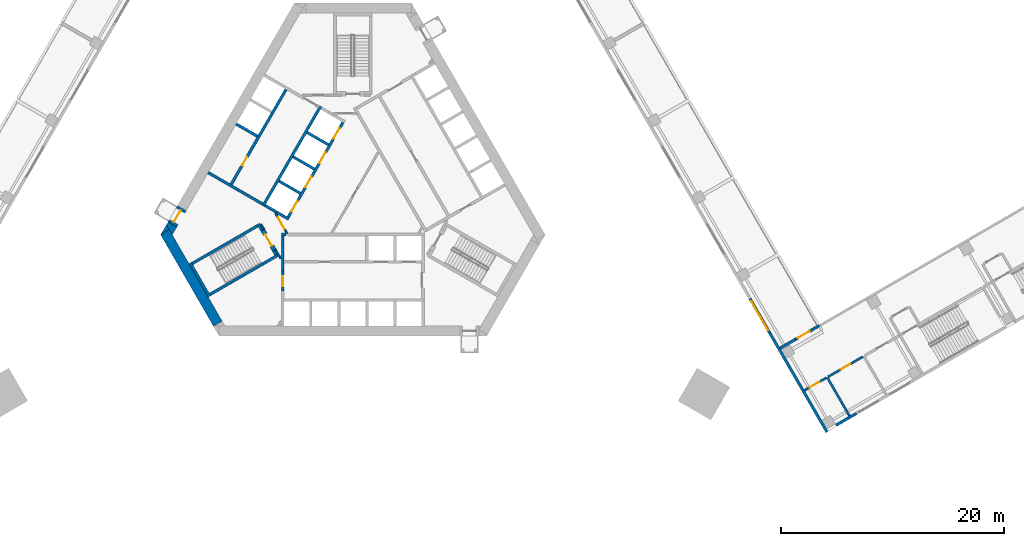
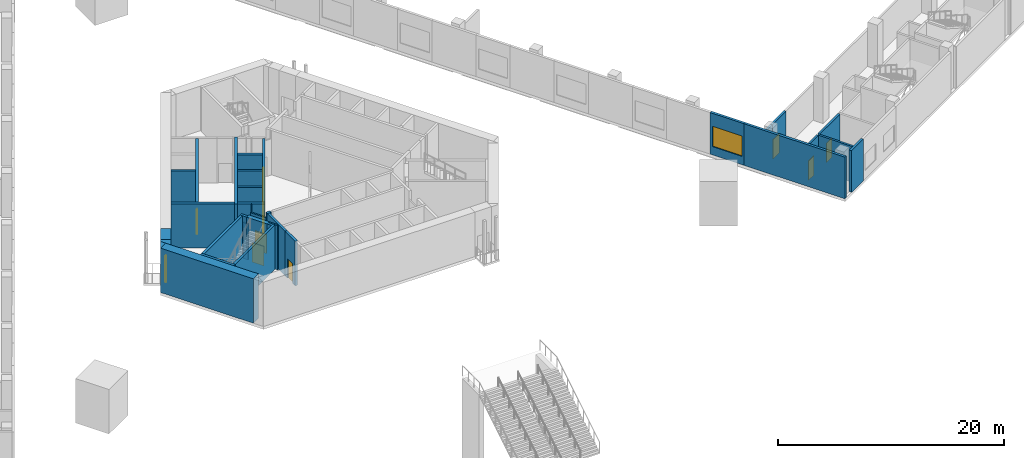
# One storey, part 9 of 28: 33 walls, 12 doors, 1 window, 13 openings.
"""IFC4 building model written with IfcOpenShell, lengths in metres."""

from ifc_helpers import new_model, si_unit, direction, frame, frame_2d, origin, place, context, subcontext, project, spatial, polyline, rectangle, outline, extrude, material, layer, layer_set, type_object, element, fill, save


model = new_model("IFC4")

# Units and contexts
model_context = context("Model", 3, precision=1e-05, world=origin(), true_north=direction((0.0, 1.0)))
body_context = subcontext(model_context, "Body", "Model", "MODEL_VIEW")
ifc_project = project(units=[si_unit("LENGTHUNIT", "METRE"), si_unit("AREAUNIT", "SQUARE_METRE"), si_unit("VOLUMEUNIT", "CUBIC_METRE"), si_unit("PLANEANGLEUNIT", "RADIAN"), si_unit("MASSUNIT", "GRAM", prefix="KILO")], contexts=[model_context])

# Site, building, storey
site_placement = place(None, origin())
site = spatial("IfcSite", under=ifc_project, at=site_placement, CompositionType="ELEMENT")
building_placement = place(site_placement, origin())
building = spatial("IfcBuilding", under=site, at=building_placement, Name="Mestral Congress Tower", CompositionType="ELEMENT")
storey_placement = place(building_placement, frame((0.0, 0.0, 11.39990234375)))
storey = spatial("IfcBuildingStorey", under=building, at=storey_placement, Name="L02", CompositionType="ELEMENT", Elevation=11.39990234375)

# Wall
ifc_material_1 = material(Name="Fire-rated board partition")
ifc_layer_1 = layer(ifc_material_1, 0.14990234375)
ifc_layer_set_1 = layer_set([ifc_layer_1], Name="Fire-rated board partition")
wall_type_1 = type_object("IfcWallType", Name="Core partition 150", PredefinedType="PARTITIONING", material=ifc_layer_set_1)
wall_1_placement = place(storey_placement, frame((-8.251953125, -2.958251953125, 0.0), z_axis=(0.0, 0.0, 1.0), x_axis=(0.500174715838, -0.865924508047, 0.0)))
element("IfcWall", 1, at=wall_1_placement, inside=storey, type_object=wall_type_1, Name="L02 core wall", PredefinedType="PARTITIONING", context=body_context, shape_type="SweptSolid", body=[
    extrude(rectangle(XDim=0.513916015625, YDim=0.14990234375, at=frame_2d((0.2568359375, 0.0))), origin(), (0.0, 0.0, 1.0), 3.900146484375),
])

# Wall, opening, door
wall_2_placement = place(storey_placement, frame((-5.89501953125, -3.789794921875, 0.0), z_axis=(0.0, 0.0, 1.0), x_axis=(-0.49994051562, 0.866059744384, 0.0)))
wall_2 = element("IfcWall", 2, at=wall_2_placement, inside=storey, type_object=wall_type_1, Name="L02 door wall", PredefinedType="PARTITIONING", context=body_context, shape_type="SweptSolid", body=[
    extrude(rectangle(XDim=2.099853515625, YDim=0.14990234375, at=frame_2d((1.0498046875, 0.0))), origin(), (0.0, 0.0, 1.0), 3.900146484375),
])
opening_1_placement = place(wall_2_placement, frame((0.449951171875, 0.0, 0.0)))
opening_1 = element("IfcOpeningElement", 3, at=opening_1_placement, cuts=wall_2, Name="Opening CD3-FF", PredefinedType="OPENING", context=body_context, shape_type="SweptSolid", body=[
    extrude(rectangle(XDim=1.199951171875, YDim=2.10009765625, at=frame_2d((0.60009765625, 1.050048828125))), frame((0.0, 0.0849609375, 0.0), z_axis=(0.0, -1.0, 0.0), x_axis=(1.0, 0.0, 0.0)), (0.0, 0.0, 1.0), 0.169921875),
])
ifc_material_2 = material(Name="Fire-rated steel door set", Category="steel")
door_type_1 = type_object("IfcDoorType", Name="Core door CD 1200x2100", OperationType="SINGLE_SWING_LEFT", PredefinedType="DOOR", material=ifc_material_2)
door_1_placement = place(opening_1_placement, origin())
door_1 = element("IfcDoor", 4, at=door_1_placement, inside=storey, type_object=door_type_1, Name="Door CD3-FF", OperationType="SINGLE_SWING_LEFT", OverallHeight=2.10009765625, OverallWidth=1.199951171875, PredefinedType="DOOR", context=body_context, shape_type="SweptSolid", body=[
    extrude(rectangle(XDim=1.199951171875, YDim=2.10009765625, at=frame_2d((0.60009765625, 1.050048828125))), frame((0.0, 0.02490234375, 0.0), z_axis=(0.0, -1.0, 0.0), x_axis=(1.0, 0.0, 0.0)), (0.0, 0.0, 1.0), 0.050048828125),
])
fill(opening_1, door_1)

# Walls
ifc_material_3 = material(Name="Concrete C60/75", Category="concrete")
ifc_layer_2 = layer(ifc_material_3, 0.89990234375)
ifc_layer_set_2 = layer_set([ifc_layer_2], Name="Concrete C60/75")
wall_type_2 = type_object("IfcWallType", Name="Core wall RC 900", PredefinedType="SOLIDWALL", material=ifc_layer_set_2)
wall_3_placement = place(storey_placement, frame((-12.134033203125, -11.88330078125, 0.0), z_axis=(0.0, 0.0, 1.0), x_axis=(-0.500005339912, 0.866022320763, 0.0)))
element("IfcWall", 5, at=wall_3_placement, inside=storey, type_object=wall_type_2, Name="L02 core wall", PredefinedType="SOLIDWALL", context=body_context, shape_type="SweptSolid", body=[
    extrude(rectangle(XDim=9.48779296875, YDim=0.89990234375, at=frame_2d((4.743896484375, 0.0))), origin(), (0.0, 0.0, 1.0), 4.800048828125),
])
placement = place(storey_placement, origin())
element("IfcWall", 6, at=placement, inside=storey, type_object=wall_type_2, Name="L02 core wall", PredefinedType="SOLIDWALL", context=body_context, shape_type="SweptSolid", body=[
    extrude(outline(polyline([(-16.4892578125, -3.43994140625), (-17.251220703125, -3.8798828125), (-16.7431640625, -3.0), (-16.4892578125, -3.43994140625)])), origin(), (0.0, 0.0, 1.0), 4.800048828125),
])
element("IfcWall", 7, at=placement, inside=storey, type_object=wall_type_2, Name="L02 core wall", PredefinedType="SOLIDWALL", context=body_context, shape_type="SweptSolid", body=[
    extrude(outline(polyline([(-15.81982421875, -3.20068359375), (-16.223388671875, -3.89990234375), (-16.7431640625, -3.0), (-16.599365234375, -2.750732421875), (-15.81982421875, -3.20068359375)])), origin(), (0.0, 0.0, 1.0), 4.800048828125),
])

# Wall, opening, door
wall_6_placement = place(storey_placement, frame((-16.20947265625, -2.9755859375, 0.0), z_axis=(0.0, 0.0, 1.0), x_axis=(0.499954529098, 0.86605165483, 0.0)))
wall_6 = element("IfcWall", 8, at=wall_6_placement, inside=storey, type_object=wall_type_2, Name="L02 door wall", PredefinedType="SOLIDWALL", context=body_context, shape_type="SweptSolid", body=[
    extrude(rectangle(XDim=1.699951171875, YDim=0.89990234375, at=frame_2d((0.85009765625, 0.0))), origin(), (0.0, 0.0, 1.0), 4.800048828125),
])
opening_2_placement = place(wall_6_placement, frame((0.25, 0.0, 0.0)))
opening_2 = element("IfcOpeningElement", 9, at=opening_2_placement, cuts=wall_6, Name="Opening XD3", PredefinedType="OPENING", context=body_context, shape_type="SweptSolid", body=[
    extrude(rectangle(XDim=1.199951171875, YDim=2.10009765625, at=frame_2d((0.60009765625, 1.050048828125))), frame((0.0, 0.4599609375, 0.0), z_axis=(0.0, -1.0, 0.0), x_axis=(1.0, 0.0, 0.0)), (0.0, 0.0, 1.0), 0.919921875),
])
door_type_2 = type_object("IfcDoorType", Name="Core door XD 1200x2100", OperationType="SINGLE_SWING_LEFT", PredefinedType="DOOR", material=ifc_material_2)
door_2_placement = place(opening_2_placement, origin())
door_2 = element("IfcDoor", 10, at=door_2_placement, inside=storey, type_object=door_type_2, Name="Door XD3", OperationType="SINGLE_SWING_LEFT", OverallHeight=2.10009765625, OverallWidth=1.199951171875, PredefinedType="DOOR", context=body_context, shape_type="SweptSolid", body=[
    extrude(rectangle(XDim=1.199951171875, YDim=2.10009765625, at=frame_2d((0.60009765625, 1.050048828125))), frame((0.0, 0.02490234375, 0.0), z_axis=(0.0, -1.0, 0.0), x_axis=(1.0, 0.0, 0.0)), (0.0, 0.0, 1.0), 0.050048828125),
])
fill(opening_2, door_2)

# Wall
ifc_material_4 = material(Name="Precast concrete C40/50 with limestone facing", Category="masonry")
ifc_layer_3 = layer(ifc_material_4, 0.25)
ifc_layer_set_3 = layer_set([ifc_layer_3], Name="Precast concrete C40/50 with limestone facing")
wall_type_3 = type_object("IfcWallType", Name="Podium external wall 250", PredefinedType="SOLIDWALL", material=ifc_layer_set_3)
wall_7_placement = place(storey_placement, frame((42.5625, -21.614501953125, 0.0), z_axis=(0.0, 0.0, 1.0), x_axis=(-0.500001855621, 0.866024332438, 0.0)))
element("IfcWall", 11, at=wall_7_placement, inside=storey, type_object=wall_type_3, Name="L02 external wall", PredefinedType="SOLIDWALL", context=body_context, shape_type="SweptSolid", body=[
    extrude(rectangle(XDim=10.31201171875, YDim=0.25, at=frame_2d((5.156005859375, 0.0))), origin(), (0.0, 0.0, 1.0), 4.5),
])

# Wall, opening, window
wall_8_placement = place(storey_placement, frame((37.406494140625, -12.68408203125, 0.0), z_axis=(0.0, 0.0, 1.0), x_axis=(-0.500010275428, 0.866019471182, 0.0)))
wall_8 = element("IfcWall", 12, at=wall_8_placement, inside=storey, type_object=wall_type_3, Name="L02 external wall", PredefinedType="SOLIDWALL", context=body_context, shape_type="SweptSolid", body=[
    extrude(rectangle(XDim=3.5, YDim=0.25, at=frame_2d((1.75, 0.0))), origin(), (0.0, 0.0, 1.0), 4.5),
])
opening_3_placement = place(wall_8_placement, frame((0.25, 0.0, 0.89990234375)))
opening_3 = element("IfcOpeningElement", 13, at=opening_3_placement, cuts=wall_8, Name="Opening PW-3000x2200", PredefinedType="OPENING", context=body_context, shape_type="SweptSolid", body=[
    extrude(rectangle(XDim=3.0, YDim=2.199951171875, at=frame_2d((1.5, 1.10009765625))), frame((0.0, 0.135009765625, 0.0), z_axis=(0.0, -1.0, 0.0), x_axis=(1.0, 0.0, 0.0)), (0.0, 0.0, 1.0), 0.27001953125),
])
ifc_material_5 = material(Name="Aluminium frame, clear double glazing", Category="aluminium")
window_type = type_object("IfcWindowType", Name="Podium window 3000x2200 sill 900", PartitioningType="SINGLE_PANEL", PredefinedType="WINDOW", material=ifc_material_5)
window_placement = place(opening_3_placement, origin())
window = element("IfcWindow", 14, at=window_placement, inside=storey, type_object=window_type, Name="Window", OverallHeight=2.199951171875, OverallWidth=3.0, PartitioningType="SINGLE_PANEL", PredefinedType="WINDOW", context=body_context, shape_type="SweptSolid", body=[
    extrude(rectangle(XDim=3.0, YDim=2.199951171875, at=frame_2d((1.5, 1.10009765625))), frame((0.0, 0.030029296875, 0.0), z_axis=(0.0, -1.0, 0.0), x_axis=(1.0, 0.0, 0.0)), (0.0, 0.0, 1.0), 0.06005859375),
])
fill(opening_3, window)

# Walls
wall_9_placement = place(storey_placement, frame((45.206298828125, -19.943603515625, 0.0), z_axis=(0.0, 0.0, 1.0), x_axis=(-0.866009402589, -0.500027713859, 0.0)))
element("IfcWall", 15, at=wall_9_placement, inside=storey, type_object=wall_type_3, Name="L02 external wall", PredefinedType="SOLIDWALL", context=body_context, shape_type="SweptSolid", body=[
    extrude(rectangle(XDim=2.10009765625, YDim=0.25, at=frame_2d((1.050048828125, 0.0))), origin(), (0.0, 0.0, 1.0), 4.5),
])
ifc_material_6 = material(Name="Masonry block wall", Category="masonry")
ifc_layer_4 = layer(ifc_material_6, 0.25)
ifc_layer_set_4 = layer_set([ifc_layer_4], Name="Masonry block wall")
wall_type_4 = type_object("IfcWallType", Name="Podium hall wall 250 EI 180", PredefinedType="SOLIDWALL", material=ifc_layer_set_4)
wall_10_placement = place(storey_placement, frame((38.3583984375, -14.08251953125, 0.0), z_axis=(0.0, 0.0, 1.0), x_axis=(0.865989903783, 0.500061482766, 0.0)))
element("IfcWall", 16, at=wall_10_placement, inside=storey, type_object=wall_type_4, Name="L02 partition", PredefinedType="SOLIDWALL", context=body_context, shape_type="SweptSolid", body=[
    extrude(rectangle(XDim=1.599853515625, YDim=0.25, at=frame_2d((0.7998046875, 0.0))), origin(), (0.0, 0.0, 1.0), 3.900146484375),
])

# Wall, opening, door
wall_11_placement = place(storey_placement, frame((41.86572265625, -12.0576171875, 0.0), z_axis=(0.0, 0.0, 1.0), x_axis=(-0.866057815567, -0.499943856944, 0.0)))
wall_11 = element("IfcWall", 17, at=wall_11_placement, inside=storey, type_object=wall_type_4, Name="L02 partition", PredefinedType="SOLIDWALL", context=body_context, shape_type="SweptSolid", body=[
    extrude(rectangle(XDim=2.449951171875, YDim=0.25, at=frame_2d((1.22509765625, 0.0))), origin(), (0.0, 0.0, 1.0), 3.900146484375),
])
opening_4_placement = place(wall_11_placement, frame((1.0, 0.0, 0.0)))
opening_4 = element("IfcOpeningElement", 18, at=opening_4_placement, cuts=wall_11, Name="Opening P02-017", PredefinedType="OPENING", context=body_context, shape_type="SweptSolid", body=[
    extrude(rectangle(XDim=1.199951171875, YDim=2.10009765625, at=frame_2d((0.60009765625, 1.050048828125))), frame((0.0, 0.135009765625, 0.0), z_axis=(0.0, -1.0, 0.0), x_axis=(1.0, 0.0, 0.0)), (0.0, 0.0, 1.0), 0.27001953125),
])
door_type_3 = type_object("IfcDoorType", Name="Podium hall door 1200x2100 EI2 90-C5", OperationType="SINGLE_SWING_LEFT", PredefinedType="DOOR", material=ifc_material_2)
door_3_placement = place(opening_4_placement, origin())
door_3 = element("IfcDoor", 19, at=door_3_placement, inside=storey, type_object=door_type_3, Name="Door P02-017", OperationType="SINGLE_SWING_LEFT", OverallHeight=2.10009765625, OverallWidth=1.199951171875, PredefinedType="DOOR", context=body_context, shape_type="SweptSolid", body=[
    extrude(rectangle(XDim=1.199951171875, YDim=2.10009765625, at=frame_2d((0.60009765625, 1.050048828125))), frame((0.0, 0.02490234375, 0.0), z_axis=(0.0, -1.0, 0.0), x_axis=(1.0, 0.0, 0.0)), (0.0, 0.0, 1.0), 0.050048828125),
])
fill(opening_4, door_3)

# Wall
ifc_layer_5 = layer(ifc_material_1, 0.199951171875)
ifc_layer_set_5 = layer_set([ifc_layer_5], Name="Fire-rated board partition")
wall_type_5 = type_object("IfcWallType", Name="Podium vestibule wall 200 EI 120", PredefinedType="PARTITIONING", material=ifc_layer_set_5)
wall_12_placement = place(storey_placement, frame((44.5810546875, -20.160400390625, 0.0), z_axis=(0.0, 0.0, 1.0), x_axis=(-0.49999894854, 0.866026010844, 0.0)))
element("IfcWall", 20, at=wall_12_placement, inside=storey, type_object=wall_type_5, Name="L02 partition", PredefinedType="PARTITIONING", context=body_context, shape_type="SweptSolid", body=[
    extrude(rectangle(XDim=4.0, YDim=0.199951171875, at=frame_2d((2.0, 0.0))), origin(), (0.0, 0.0, 1.0), 3.900146484375),
])

# Wall, opening, door
wall_13_placement = place(storey_placement, frame((42.494384765625, -16.746337890625, 0.0), z_axis=(0.0, 0.0, 1.0), x_axis=(-0.866017533419, -0.500013631625, 0.0)))
wall_13 = element("IfcWall", 21, at=wall_13_placement, inside=storey, type_object=wall_type_5, Name="L02 partition", PredefinedType="PARTITIONING", context=body_context, shape_type="SweptSolid", body=[
    extrude(rectangle(XDim=2.25, YDim=0.199951171875, at=frame_2d((1.125, 0.0))), origin(), (0.0, 0.0, 1.0), 3.900146484375),
])
opening_5_placement = place(wall_13_placement, frame((0.699951171875, 0.0, 0.0)))
opening_5 = element("IfcOpeningElement", 22, at=opening_5_placement, cuts=wall_13, Name="Opening P02-021", PredefinedType="OPENING", context=body_context, shape_type="SweptSolid", body=[
    extrude(rectangle(XDim=1.0, YDim=2.10009765625, at=frame_2d((0.5, 1.050048828125))), frame((0.0, 0.10986328125, 0.0), z_axis=(0.0, -1.0, 0.0), x_axis=(1.0, 0.0, 0.0)), (0.0, 0.0, 1.0), 0.219970703125),
])
door_type_4 = type_object("IfcDoorType", Name="Podium room door 1000x2100 EI2 30-C5", OperationType="SINGLE_SWING_LEFT", PredefinedType="DOOR", material=ifc_material_2)
door_4_placement = place(opening_5_placement, origin())
door_4 = element("IfcDoor", 23, at=door_4_placement, inside=storey, type_object=door_type_4, Name="Door P02-021", OperationType="SINGLE_SWING_LEFT", OverallHeight=2.10009765625, OverallWidth=1.0, PredefinedType="DOOR", context=body_context, shape_type="SweptSolid", body=[
    extrude(rectangle(XDim=1.0, YDim=2.10009765625, at=frame_2d((0.5, 1.050048828125))), frame((0.0, 0.02490234375, 0.0), z_axis=(0.0, -1.0, 0.0), x_axis=(1.0, 0.0, 0.0)), (0.0, 0.0, 1.0), 0.050048828125),
])
fill(opening_5, door_4)

wall_14_placement = place(storey_placement, frame((45.785400390625, -14.846435546875, 0.0), z_axis=(0.0, 0.0, 1.0), x_axis=(-0.866035395735, -0.499982693035, 0.0)))
wall_14 = element("IfcWall", 24, at=wall_14_placement, inside=storey, type_object=wall_type_5, Name="L02 partition", PredefinedType="PARTITIONING", context=body_context, shape_type="SweptSolid", body=[
    extrude(rectangle(XDim=3.600341796875, YDim=0.199951171875, at=frame_2d((1.80029296875, 0.0))), origin(), (0.0, 0.0, 1.0), 3.900146484375),
])
opening_6_placement = place(wall_14_placement, frame((1.300048828125, 0.0, 0.0)))
opening_6 = element("IfcOpeningElement", 25, at=opening_6_placement, cuts=wall_14, Name="Opening P02-027", PredefinedType="OPENING", context=body_context, shape_type="SweptSolid", body=[
    extrude(rectangle(XDim=1.0, YDim=2.10009765625, at=frame_2d((0.5, 1.050048828125))), frame((0.0, 0.10986328125, 0.0), z_axis=(0.0, -1.0, 0.0), x_axis=(1.0, 0.0, 0.0)), (0.0, 0.0, 1.0), 0.219970703125),
])
door_5_placement = place(opening_6_placement, origin())
door_5 = element("IfcDoor", 26, at=door_5_placement, inside=storey, type_object=door_type_4, Name="Door P02-027", OperationType="SINGLE_SWING_LEFT", OverallHeight=2.10009765625, OverallWidth=1.0, PredefinedType="DOOR", context=body_context, shape_type="SweptSolid", body=[
    extrude(rectangle(XDim=1.0, YDim=2.10009765625, at=frame_2d((0.5, 1.050048828125))), frame((0.0, 0.02490234375, 0.0), z_axis=(0.0, -1.0, 0.0), x_axis=(1.0, 0.0, 0.0)), (0.0, 0.0, 1.0), 0.050048828125),
])
fill(opening_6, door_5)

# Walls
ifc_layer_6 = layer(ifc_material_3, 0.25)
ifc_layer_set_6 = layer_set([ifc_layer_6], Name="Concrete C60/75")
wall_type_6 = type_object("IfcWallType", Name="Shaft wall RC 250", PredefinedType="SOLIDWALL", material=ifc_layer_set_6)
wall_15_placement = place(storey_placement, frame((-6.425048828125, -3.875, 0.0), z_axis=(0.0, 0.0, 1.0), x_axis=(1.0, 0.0, 0.0)))
element("IfcWall", 27, at=wall_15_placement, inside=storey, type_object=wall_type_6, Name="L02 core wall", PredefinedType="SOLIDWALL", context=body_context, shape_type="SweptSolid", body=[
    extrude(rectangle(XDim=0.427978515625, YDim=0.25, at=frame_2d((0.2138671875, 0.0))), origin(), (0.0, 0.0, 1.0), 4.800048828125),
])
wall_16_placement = place(storey_placement, frame((-6.300048828125, -4.0, 0.0), z_axis=(0.0, 0.0, 1.0), x_axis=(0.0, -1.0, 0.0)))
element("IfcWall", 28, at=wall_16_placement, inside=storey, type_object=wall_type_6, Name="L02 core wall", PredefinedType="SOLIDWALL", context=body_context, shape_type="SweptSolid", body=[
    extrude(rectangle(XDim=3.154296875, YDim=0.25, at=frame_2d((1.5771484375, 0.0))), origin(), (0.0, 0.0, 1.0), 4.800048828125),
])
wall_17_placement = place(storey_placement, frame((-8.06005859375, -1.310546875, 0.0), z_axis=(0.0, 0.0, 1.0), x_axis=(0.50000273126, 0.866023826885, 0.0)))
element("IfcWall", 29, at=wall_17_placement, inside=storey, type_object=wall_type_6, Name="L02 core wall", PredefinedType="SOLIDWALL", context=body_context, shape_type="SweptSolid", body=[
    extrude(rectangle(XDim=10.330078125, YDim=0.25, at=frame_2d((5.1650390625, 0.0))), origin(), (0.0, 0.0, 1.0), 4.800048828125),
])
for number, where, z_axis, x_axis, name in (
    (30, (-2.2041015625, 4.182373046875, 0.0), (0.0, 0.0, 1.0), (-0.866008176907, 0.50002983664, 0.0), "L02 core wall"),
    (31, (-5.369384765625, 3.10009765625, 0.0), (0.0, 0.0, 1.0), (0.866008176907, -0.50002983664, 0.0), "L02 core wall"),
    (32, (-4.72412109375, -0.182373046875, 0.0), (0.0, 0.0, 1.0), (-0.866008176907, 0.50002983664, 0.0), "L02 core wall"),
):
    element("IfcWall", number, at=place(storey_placement, frame(where, z_axis=z_axis, x_axis=x_axis)), inside=storey, type_object=wall_type_6, Name=name, PredefinedType="SOLIDWALL", context=body_context, shape_type="SweptSolid", body=[
        extrude(rectangle(XDim=2.199951171875, YDim=0.25, at=frame_2d((1.10009765625, 0.0))), origin(), (0.0, 0.0, 1.0), 4.800048828125),
    ])
element("IfcWall", 33, at=placement, inside=storey, type_object=wall_type_6, Name="L02 core wall", PredefinedType="SOLIDWALL", context=body_context, shape_type="SweptSolid", body=[
    extrude(outline(polyline([(-5.921630859375, -2.256591796875), (-5.921630859375, -2.256591796875), (-5.705078125, -2.381591796875), (-5.830078125, -2.597900390625), (-6.829345703125, -2.02099609375), (-6.8798828125, -1.93359375), (-6.8798828125, -1.93359375), (-6.930419921875, -1.962646484375), (-7.951904296875, -1.373046875), (-7.826904296875, -1.156494140625), (-5.921630859375, -2.256591796875)])), origin(), (0.0, 0.0, 1.0), 4.800048828125),
])
wall_19_placement = place(storey_placement, frame((-8.10595703125, -1.139892578125, 0.0), z_axis=(0.0, 0.0, 1.0), x_axis=(-0.866000643155, 0.500042884217, 0.0)))
element("IfcWall", 34, at=wall_19_placement, inside=storey, type_object=wall_type_6, Name="L02 core wall", PredefinedType="SOLIDWALL", context=body_context, shape_type="SweptSolid", body=[
    extrude(rectangle(XDim=5.64990234375, YDim=0.25, at=frame_2d((2.824951171875, 0.0))), origin(), (0.0, 0.0, 1.0), 4.800048828125),
])
wall_20_placement = place(storey_placement, frame((-8.57373046875, 4.949951171875, 0.0), z_axis=(0.0, 0.0, 1.0), x_axis=(-0.866008176907, 0.50002983664, 0.0)))
element("IfcWall", 35, at=wall_20_placement, inside=storey, type_object=wall_type_6, Name="L02 core wall", PredefinedType="SOLIDWALL", context=body_context, shape_type="SweptSolid", body=[
    extrude(rectangle(XDim=2.199951171875, YDim=0.25, at=frame_2d((1.10009765625, 0.0))), origin(), (0.0, 0.0, 1.0), 4.800048828125),
])

# Wall, opening, door
wall_21_placement = place(storey_placement, frame((-6.0078125, 9.14404296875, 0.0), z_axis=(0.0, 0.0, 1.0), x_axis=(-0.500006956611, -0.866021387346, 0.0)))
wall_21 = element("IfcWall", 36, at=wall_21_placement, inside=storey, type_object=wall_type_6, Name="L02 door wall", PredefinedType="SOLIDWALL", context=body_context, shape_type="SweptSolid", body=[
    extrude(rectangle(XDim=9.829833984375, YDim=0.25, at=frame_2d((4.9150390625, 0.0))), origin(), (0.0, 0.0, 1.0), 4.800048828125),
])
opening_7_placement = place(wall_21_placement, frame((6.985107421875, 0.0, 0.0)))
opening_7 = element("IfcOpeningElement", 37, at=opening_7_placement, cuts=wall_21, Name="Opening SR-NWA2", PredefinedType="OPENING", context=body_context, shape_type="SweptSolid", body=[
    extrude(rectangle(XDim=0.89990234375, YDim=2.10009765625, at=frame_2d((0.449951171875, 1.050048828125))), frame((0.0, 0.135009765625, 0.0), z_axis=(0.0, -1.0, 0.0), x_axis=(1.0, 0.0, 0.0)), (0.0, 0.0, 1.0), 0.27001953125),
])
door_type_5 = type_object("IfcDoorType", Name="Core door SR 900x2100", OperationType="SINGLE_SWING_LEFT", PredefinedType="DOOR", material=ifc_material_2)
door_6_placement = place(opening_7_placement, origin())
door_6 = element("IfcDoor", 38, at=door_6_placement, inside=storey, type_object=door_type_5, Name="Door SR-NWA2", OperationType="SINGLE_SWING_LEFT", OverallHeight=2.10009765625, OverallWidth=0.89990234375, PredefinedType="DOOR", context=body_context, shape_type="SweptSolid", body=[
    extrude(rectangle(XDim=0.89990234375, YDim=2.10009765625, at=frame_2d((0.449951171875, 1.050048828125))), frame((0.0, 0.02490234375, 0.0), z_axis=(0.0, -1.0, 0.0), x_axis=(1.0, 0.0, 0.0)), (0.0, 0.0, 1.0), 0.050048828125),
])
fill(opening_7, door_6)

# Wall, openings, doors
wall_22_placement = place(storey_placement, frame((-0.898193359375, 6.194091796875, 0.0), z_axis=(0.0, 0.0, 1.0), x_axis=(-0.499996202215, -0.866027596426, 0.0)))
wall_22 = element("IfcWall", 39, at=wall_22_placement, inside=storey, type_object=wall_type_6, Name="L02 door wall", PredefinedType="SOLIDWALL", context=body_context, shape_type="SweptSolid", body=[
    extrude(rectangle(XDim=9.830078125, YDim=0.25, at=frame_2d((4.9150390625, 0.0))), origin(), (0.0, 0.0, 1.0), 4.800048828125),
])
opening_8_placement = place(wall_22_placement, frame((0.5849609375, 0.0, 0.0)))
opening_8 = element("IfcOpeningElement", 40, at=opening_8_placement, cuts=wall_22, Name="Opening LD-NWB1", PredefinedType="OPENING", context=body_context, shape_type="SweptSolid", body=[
    extrude(rectangle(XDim=1.10009765625, YDim=2.10009765625, at=frame_2d((0.550048828125, 1.050048828125))), frame((0.0, 0.135009765625, 0.0), z_axis=(0.0, -1.0, 0.0), x_axis=(1.0, 0.0, 0.0)), (0.0, 0.0, 1.0), 0.27001953125),
])
opening_9_placement = place(wall_22_placement, frame((3.10498046875, 0.0, 0.0)))
opening_9 = element("IfcOpeningElement", 41, at=opening_9_placement, cuts=wall_22, Name="Opening LD-NWB2", PredefinedType="OPENING", context=body_context, shape_type="SweptSolid", body=[
    extrude(rectangle(XDim=1.10009765625, YDim=2.10009765625, at=frame_2d((0.550048828125, 1.050048828125))), frame((0.0, 0.135009765625, 0.0), z_axis=(0.0, -1.0, 0.0), x_axis=(1.0, 0.0, 0.0)), (0.0, 0.0, 1.0), 0.27001953125),
])
opening_10_placement = place(wall_22_placement, frame((5.625, 0.0, 0.0)))
opening_10 = element("IfcOpeningElement", 42, at=opening_10_placement, cuts=wall_22, Name="Opening LD-NWB3", PredefinedType="OPENING", context=body_context, shape_type="SweptSolid", body=[
    extrude(rectangle(XDim=1.10009765625, YDim=2.10009765625, at=frame_2d((0.550048828125, 1.050048828125))), frame((0.0, 0.135009765625, 0.0), z_axis=(0.0, -1.0, 0.0), x_axis=(1.0, 0.0, 0.0)), (0.0, 0.0, 1.0), 0.27001953125),
])
opening_11_placement = place(wall_22_placement, frame((8.14501953125, 0.0, 0.0)))
opening_11 = element("IfcOpeningElement", 43, at=opening_11_placement, cuts=wall_22, Name="Opening LD-NWB4", PredefinedType="OPENING", context=body_context, shape_type="SweptSolid", body=[
    extrude(rectangle(XDim=1.10009765625, YDim=2.10009765625, at=frame_2d((0.550048828125, 1.050048828125))), frame((0.0, 0.135009765625, 0.0), z_axis=(0.0, -1.0, 0.0), x_axis=(1.0, 0.0, 0.0)), (0.0, 0.0, 1.0), 0.27001953125),
])
door_type_6 = type_object("IfcDoorType", Name="Core door LD 1100x2100", OperationType="DOUBLE_DOOR_SLIDING", PredefinedType="DOOR", material=ifc_material_2)
door_7_placement = place(opening_8_placement, origin())
door_7 = element("IfcDoor", 44, at=door_7_placement, inside=storey, type_object=door_type_6, Name="Door LD-NWB1", OperationType="DOUBLE_DOOR_SLIDING", OverallHeight=2.10009765625, OverallWidth=1.10009765625, PredefinedType="DOOR", context=body_context, shape_type="SweptSolid", body=[
    extrude(rectangle(XDim=1.10009765625, YDim=2.10009765625, at=frame_2d((0.550048828125, 1.050048828125))), frame((0.0, 0.02490234375, 0.0), z_axis=(0.0, -1.0, 0.0), x_axis=(1.0, 0.0, 0.0)), (0.0, 0.0, 1.0), 0.050048828125),
])
fill(opening_8, door_7)
door_8_placement = place(opening_9_placement, origin())
door_8 = element("IfcDoor", 45, at=door_8_placement, inside=storey, type_object=door_type_6, Name="Door LD-NWB2", OperationType="DOUBLE_DOOR_SLIDING", OverallHeight=2.10009765625, OverallWidth=1.10009765625, PredefinedType="DOOR", context=body_context, shape_type="SweptSolid", body=[
    extrude(rectangle(XDim=1.10009765625, YDim=2.10009765625, at=frame_2d((0.550048828125, 1.050048828125))), frame((0.0, 0.02490234375, 0.0), z_axis=(0.0, -1.0, 0.0), x_axis=(1.0, 0.0, 0.0)), (0.0, 0.0, 1.0), 0.050048828125),
])
fill(opening_9, door_8)
door_9_placement = place(opening_10_placement, origin())
door_9 = element("IfcDoor", 46, at=door_9_placement, inside=storey, type_object=door_type_6, Name="Door LD-NWB3", OperationType="DOUBLE_DOOR_SLIDING", OverallHeight=2.10009765625, OverallWidth=1.10009765625, PredefinedType="DOOR", context=body_context, shape_type="SweptSolid", body=[
    extrude(rectangle(XDim=1.10009765625, YDim=2.10009765625, at=frame_2d((0.550048828125, 1.050048828125))), frame((0.0, 0.02490234375, 0.0), z_axis=(0.0, -1.0, 0.0), x_axis=(1.0, 0.0, 0.0)), (0.0, 0.0, 1.0), 0.050048828125),
])
fill(opening_10, door_9)
door_10_placement = place(opening_11_placement, origin())
door_10 = element("IfcDoor", 47, at=door_10_placement, inside=storey, type_object=door_type_6, Name="Door LD-NWB4", OperationType="DOUBLE_DOOR_SLIDING", OverallHeight=2.10009765625, OverallWidth=1.10009765625, PredefinedType="DOOR", context=body_context, shape_type="SweptSolid", body=[
    extrude(rectangle(XDim=1.10009765625, YDim=2.10009765625, at=frame_2d((0.550048828125, 1.050048828125))), frame((0.0, 0.02490234375, 0.0), z_axis=(0.0, -1.0, 0.0), x_axis=(1.0, 0.0, 0.0)), (0.0, 0.0, 1.0), 0.050048828125),
])
fill(opening_11, door_10)

# Wall, opening, door
wall_23_placement = place(storey_placement, frame((-6.300048828125, -7.154296875, 0.0), z_axis=(0.0, 0.0, 1.0), x_axis=(0.0, -1.0, 0.0)))
wall_23 = element("IfcWall", 48, at=wall_23_placement, inside=storey, type_object=wall_type_6, Name="L02 door wall", PredefinedType="SOLIDWALL", context=body_context, shape_type="SweptSolid", body=[
    extrude(rectangle(XDim=1.800048828125, YDim=0.25, at=frame_2d((0.89990234375, 0.0))), origin(), (0.0, 0.0, 1.0), 4.800048828125),
])
opening_12_placement = place(wall_23_placement, frame((0.449951171875, 0.0, 0.0)))
opening_12 = element("IfcOpeningElement", 49, at=opening_12_placement, cuts=wall_23, Name="Opening TD3", PredefinedType="OPENING", context=body_context, shape_type="SweptSolid", body=[
    extrude(rectangle(XDim=0.89990234375, YDim=2.10009765625, at=frame_2d((0.449951171875, 1.050048828125))), frame((0.0, 0.135009765625, 0.0), z_axis=(0.0, -1.0, 0.0), x_axis=(1.0, 0.0, 0.0)), (0.0, 0.0, 1.0), 0.27001953125),
])
door_11_placement = place(opening_12_placement, origin())
door_11 = element("IfcDoor", 50, at=door_11_placement, inside=storey, type_object=door_type_5, Name="Door TD3", OperationType="SINGLE_SWING_LEFT", OverallHeight=2.10009765625, OverallWidth=0.89990234375, PredefinedType="DOOR", context=body_context, shape_type="SweptSolid", body=[
    extrude(rectangle(XDim=0.89990234375, YDim=2.10009765625, at=frame_2d((0.449951171875, 1.050048828125))), frame((0.0, 0.02490234375, 0.0), z_axis=(0.0, -1.0, 0.0), x_axis=(1.0, 0.0, 0.0)), (0.0, 0.0, 1.0), 0.050048828125),
])
fill(opening_12, door_11)

# Walls
ifc_layer_7 = layer(ifc_material_3, 0.14990234375)
ifc_layer_set_7 = layer_set([ifc_layer_7], Name="Concrete C60/75")
wall_type_7 = type_object("IfcWallType", Name="Shaft wall RC 250 door-wall 150", PredefinedType="SOLIDWALL", material=ifc_layer_set_7)
wall_24_placement = place(storey_placement, frame((-6.48046875, -6.026611328125, 0.0), z_axis=(0.0, 0.0, 1.0), x_axis=(-0.499927229454, 0.866067413802, 0.0)))
element("IfcWall", 51, at=wall_24_placement, inside=storey, type_object=wall_type_7, Name="L02 core wall", PredefinedType="PARTITIONING", context=body_context, shape_type="SweptSolid", body=[
    extrude(rectangle(XDim=0.928955078125, YDim=0.14990234375, at=frame_2d((0.46435546875, 0.0))), origin(), (0.0, 0.0, 1.0), 4.800048828125),
])
ifc_layer_8 = layer(ifc_material_3, 0.25)
ifc_layer_set_8 = layer_set([ifc_layer_8], Name="Concrete C60/75")
wall_type_8 = type_object("IfcWallType", Name="Stair wall RC 250", PredefinedType="SOLIDWALL", material=ifc_layer_set_8)
wall_25_placement = place(storey_placement, frame((-12.885498046875, -9.431396484375, 0.0), z_axis=(0.0, 0.0, 1.0), x_axis=(-0.500020560727, 0.866013532718, 0.0)))
element("IfcWall", 52, at=wall_25_placement, inside=storey, type_object=wall_type_8, Name="L02 core wall", PredefinedType="SOLIDWALL", context=body_context, shape_type="SweptSolid", body=[
    extrude(rectangle(XDim=3.449951171875, YDim=0.25, at=frame_2d((1.72509765625, 0.0))), origin(), (0.0, 0.0, 1.0), 4.800048828125),
])
wall_26_placement = place(storey_placement, frame((-14.43994140625, -6.489501953125, 0.0), z_axis=(0.0, 0.0, 1.0), x_axis=(0.866022966069, 0.500004222222, 0.0)))
element("IfcWall", 53, at=wall_26_placement, inside=storey, type_object=wall_type_8, Name="L02 core wall", PredefinedType="SOLIDWALL", context=body_context, shape_type="SweptSolid", body=[
    extrude(rectangle(XDim=6.80029296875, YDim=0.25, at=frame_2d((3.400146484375, 0.0))), origin(), (0.0, 0.0, 1.0), 4.800048828125),
])
wall_27_placement = place(storey_placement, frame((-8.167724609375, -3.503173828125, 0.0), z_axis=(0.0, 0.0, 1.0), x_axis=(-0.499952099219, 0.866053057547, 0.0)))
element("IfcWall", 54, at=wall_27_placement, inside=storey, type_object=wall_type_8, Name="L02 core wall", PredefinedType="SOLIDWALL", context=body_context, shape_type="SweptSolid", body=[
    extrude(rectangle(XDim=0.6748046875, YDim=0.25, at=frame_2d((0.33740234375, 0.0))), origin(), (0.0, 0.0, 1.0), 4.800048828125),
])
wall_28_placement = place(storey_placement, frame((-12.83984375, -9.2607421875, 0.0), z_axis=(0.0, 0.0, 1.0), x_axis=(0.866016039709, 0.500016218704, 0.0)))
element("IfcWall", 55, at=wall_28_placement, inside=storey, type_object=wall_type_8, Name="L02 core wall", PredefinedType="SOLIDWALL", context=body_context, shape_type="SweptSolid", body=[
    extrude(rectangle(XDim=7.050048828125, YDim=0.25, at=frame_2d((3.52490234375, 0.0))), origin(), (0.0, 0.0, 1.0), 4.800048828125),
])
wall_29_placement = place(storey_placement, frame((-6.905029296875, -5.68994140625, 0.0), z_axis=(0.0, 0.0, 1.0), x_axis=(-0.500402024738, 0.865793170242, 0.0)))
element("IfcWall", 56, at=wall_29_placement, inside=storey, type_object=wall_type_8, Name="L02 core wall", PredefinedType="SOLIDWALL", context=body_context, shape_type="SweptSolid", body=[
    extrude(rectangle(XDim=0.425048828125, YDim=0.25, at=frame_2d((0.21240234375, 0.0))), origin(), (0.0, 0.0, 1.0), 4.800048828125),
])

# Wall, opening, door
ifc_layer_9 = layer(ifc_material_3, 0.39990234375)
ifc_layer_set_9 = layer_set([ifc_layer_9], Name="Concrete C60/75")
wall_type_9 = type_object("IfcWallType", Name="Stair wall RC 250 door-wall 400", PredefinedType="SOLIDWALL", material=ifc_layer_set_9)
wall_30_placement = place(storey_placement, frame((-8.102783203125, -3.4658203125, 0.0), z_axis=(0.0, 0.0, 1.0), x_axis=(0.500078061341, -0.865980330357, 0.0)))
wall_30 = element("IfcWall", 57, at=wall_30_placement, inside=storey, type_object=wall_type_9, Name="L02 door wall", PredefinedType="SOLIDWALL", context=body_context, shape_type="SweptSolid", body=[
    extrude(rectangle(XDim=2.099853515625, YDim=0.39990234375, at=frame_2d((1.0498046875, 0.0))), origin(), (0.0, 0.0, 1.0), 4.800048828125),
])
opening_13_placement = place(wall_30_placement, frame((0.449951171875, 0.0, 0.0)))
opening_13 = element("IfcOpeningElement", 58, at=opening_13_placement, cuts=wall_30, Name="Opening ST-D3", PredefinedType="OPENING", context=body_context, shape_type="SweptSolid", body=[
    extrude(rectangle(XDim=1.199951171875, YDim=2.10009765625, at=frame_2d((0.60009765625, 1.050048828125))), frame((0.0, 0.2099609375, 0.0), z_axis=(0.0, -1.0, 0.0), x_axis=(1.0, 0.0, 0.0)), (0.0, 0.0, 1.0), 0.419921875),
])
door_type_7 = type_object("IfcDoorType", Name="Core door ST 1200x2100", OperationType="SINGLE_SWING_LEFT", PredefinedType="DOOR", material=ifc_material_2)
door_12_placement = place(opening_13_placement, origin())
door_12 = element("IfcDoor", 59, at=door_12_placement, inside=storey, type_object=door_type_7, Name="Door ST-D3", OperationType="SINGLE_SWING_LEFT", OverallHeight=2.10009765625, OverallWidth=1.199951171875, PredefinedType="DOOR", context=body_context, shape_type="SweptSolid", body=[
    extrude(rectangle(XDim=1.199951171875, YDim=2.10009765625, at=frame_2d((0.60009765625, 1.050048828125))), frame((0.0, 0.02490234375, 0.0), z_axis=(0.0, -1.0, 0.0), x_axis=(1.0, 0.0, 0.0)), (0.0, 0.0, 1.0), 0.050048828125),
])
fill(opening_13, door_12)

save(model, "model.ifc")
